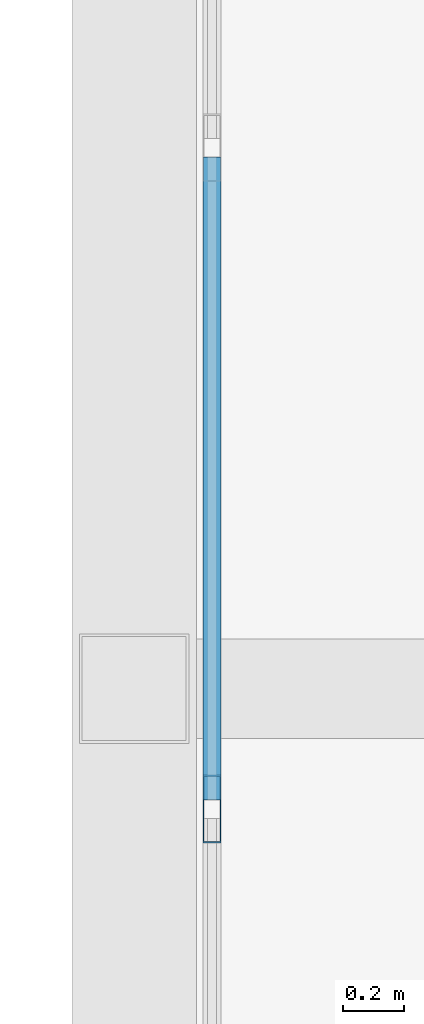
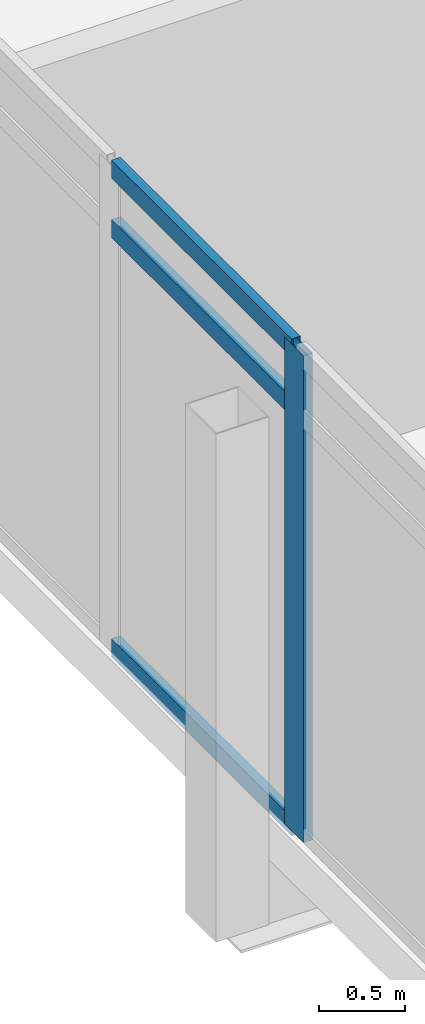
# One storey, part 18 of 38: 4 members, 1 element without a shape of its own.
"""IFC4 building model written with IfcOpenShell, lengths in metres."""

from ifc_helpers import new_model, si_unit, direction, frame, origin, origin_2d, place, context, subcontext, project, spatial, hollow_rectangle, extrude, material, material_profile, profile_set, type_object, element, aggregate, save


model = new_model("IFC4")

# Units and contexts
model_context = context("Model", 3, precision=1e-05, world=origin(), true_north=direction((0.0, 1.0)))
body_context = subcontext(model_context, "Body", "Model", "MODEL_VIEW")
ifc_project = project(units=[si_unit("LENGTHUNIT", "METRE"), si_unit("AREAUNIT", "SQUARE_METRE"), si_unit("VOLUMEUNIT", "CUBIC_METRE"), si_unit("PLANEANGLEUNIT", "RADIAN"), si_unit("MASSUNIT", "GRAM", prefix="KILO")], contexts=[model_context])

# Site, building, storey
site_placement = place(None, origin())
site = spatial("IfcSite", under=ifc_project, at=site_placement, CompositionType="ELEMENT")
building_placement = place(site_placement, origin())
building = spatial("IfcBuilding", under=site, at=building_placement, Name="Ostrander Bayou Hotel Tower", CompositionType="ELEMENT")
storey_placement = place(building_placement, frame((0.0, 0.0, 194.5)))
storey = spatial("IfcBuildingStorey", under=building, at=storey_placement, Name="L48", CompositionType="ELEMENT", Elevation=194.5)

# Curtain wall, members
ifc_material_1 = material(Name="Aluminium and clear glass", Category="aluminium")
curtain_wall_type = type_object("IfcCurtainWallType", Name="CW-BAR glazed wall", PredefinedType="NOTDEFINED", material=ifc_material_1)
curtain_wall_placement = place(storey_placement, origin())
curtain_wall = element("IfcCurtainWall", 1, at=curtain_wall_placement, inside=storey, type_object=curtain_wall_type, Name="CW-BAR L48:SB4N:E", PredefinedType="NOTDEFINED")
ifc_material_2 = material(Name="Aluminium", Category="aluminium")
ifc_material_profile_1 = material_profile(ifc_material_2, hollow_rectangle(XDim=0.06005859375, YDim=0.219970703125, WallThickness=0.00390625, at=origin_2d()))
ifc_profile_set_1 = profile_set([ifc_material_profile_1], Name="Aluminium")
member_type_1 = type_object("IfcMemberType", Name="CW-BR mullion 60 x 220 mm", PredefinedType="MULLION", material=ifc_profile_set_1)
member_1_placement = place(storey_placement, frame((-11.857177734375, 19.3154296875, 0.0), z_axis=(0.0, 0.0, 1.0), x_axis=(-1.0, 0.0, 0.0)))
member_1 = element("IfcMember", 2, at=member_1_placement, type_object=member_type_1, Name="CW-BAR mullion 6", PredefinedType="MULLION", context=body_context, shape_type="SweptSolid", body=[
    extrude(hollow_rectangle(XDim=0.06005859375, YDim=0.219970703125, WallThickness=0.00390625, at=origin_2d()), origin(), (0.0, 0.0, 1.0), 3.449951171875),
])
ifc_material_3 = material(Name="Aluminium", Category="aluminium")
ifc_material_profile_2 = material_profile(ifc_material_3, hollow_rectangle(XDim=0.06005859375, YDim=0.1298828125, WallThickness=0.00390625, at=origin_2d()))
ifc_profile_set_2 = profile_set([ifc_material_profile_2], Name="Aluminium")
member_type_2 = type_object("IfcMemberType", Name="CW-BR transom 60 x 130 mm", PredefinedType="USERDEFINED", material=ifc_profile_set_2)
member_2_placement = place(storey_placement, frame((-11.857177734375, 19.345458984375, 0.030029296875), z_axis=(0.0, 1.0, 0.0), x_axis=(-1.0, 0.0, 0.0)))
member_2 = element("IfcMember", 3, at=member_2_placement, type_object=member_type_2, Name="CW-BAR transom 6.1", ObjectType="TRANSOM", PredefinedType="USERDEFINED", context=body_context, shape_type="SweptSolid", body=[
    extrude(hollow_rectangle(XDim=0.06005859375, YDim=0.1298828125, WallThickness=0.00390625, at=origin_2d()), origin(), (0.0, 0.0, 1.0), 2.090087890625),
])
member_3_placement = place(storey_placement, frame((-11.857177734375, 19.345458984375, 3.0), z_axis=(0.0, 1.0, 0.0), x_axis=(-1.0, 0.0, 0.0)))
member_3 = element("IfcMember", 4, at=member_3_placement, type_object=member_type_2, Name="CW-BAR transom 6.2", ObjectType="TRANSOM", PredefinedType="USERDEFINED", context=body_context, shape_type="SweptSolid", body=[
    extrude(hollow_rectangle(XDim=0.06005859375, YDim=0.1298828125, WallThickness=0.00390625, at=origin_2d()), origin(), (0.0, 0.0, 1.0), 2.090087890625),
])
member_4_placement = place(storey_placement, frame((-11.857177734375, 19.345458984375, 3.419921875), z_axis=(0.0, 1.0, 0.0), x_axis=(-1.0, 0.0, 0.0)))
member_4 = element("IfcMember", 5, at=member_4_placement, type_object=member_type_2, Name="CW-BAR transom 6.3", ObjectType="TRANSOM", PredefinedType="USERDEFINED", context=body_context, shape_type="SweptSolid", body=[
    extrude(hollow_rectangle(XDim=0.06005859375, YDim=0.1298828125, WallThickness=0.00390625, at=origin_2d()), origin(), (0.0, 0.0, 1.0), 2.090087890625),
])
aggregate(curtain_wall, [member_1, member_2, member_3, member_4])

save(model, "model.ifc")
